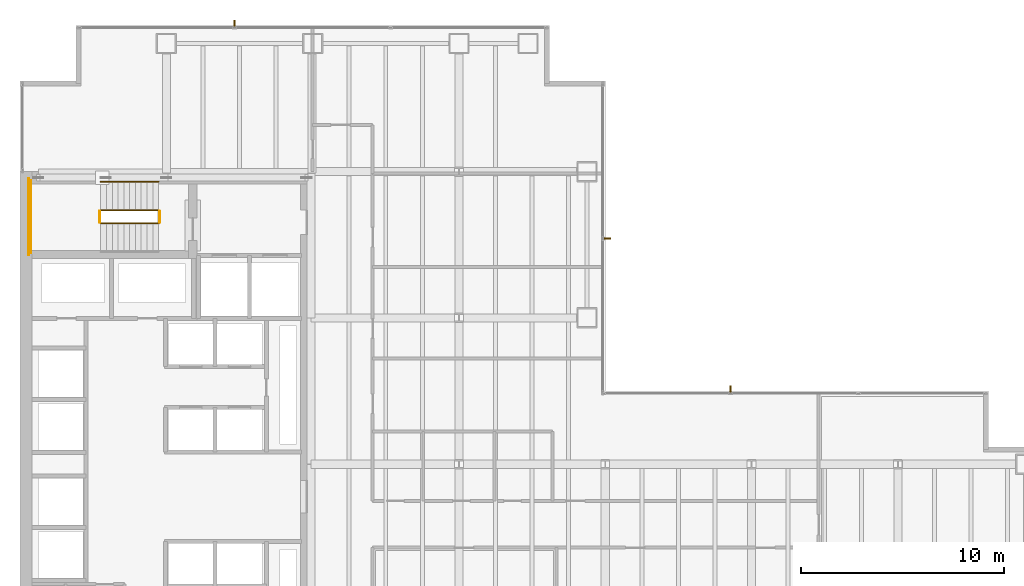
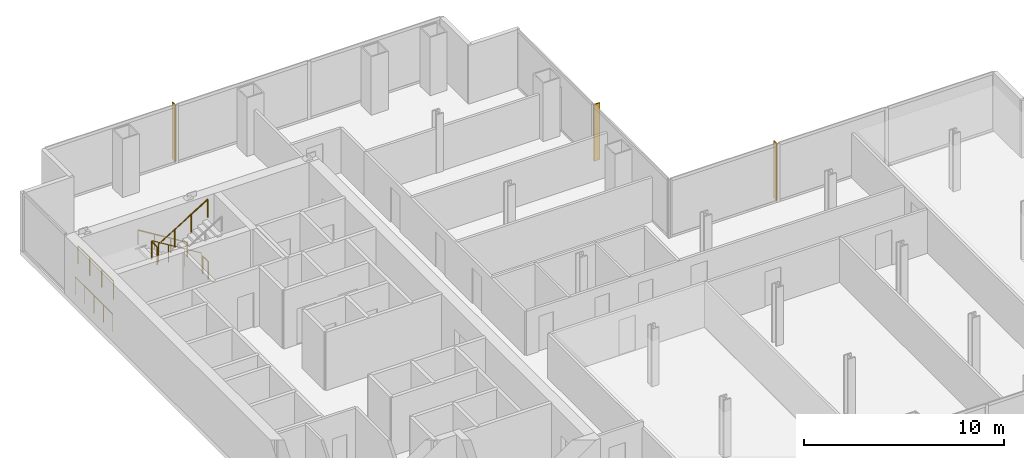
# One storey, part 24 of 24: 7 railings, 3 shading devices.
"""IFC4 building model written with IfcOpenShell, lengths in metres."""

from ifc_helpers import new_model, si_unit, direction, frame, origin, origin_2d, place, context, subcontext, project, spatial, polyline, circle, outline, extrude, material, layer, layer_set, type_object, element, save


model = new_model("IFC4")

# Units and contexts
model_context = context("Model", 3, precision=1e-05, world=origin(), true_north=direction((0.0, 1.0)))
body_context = subcontext(model_context, "Body", "Model", "MODEL_VIEW")
ifc_project = project(units=[si_unit("LENGTHUNIT", "METRE"), si_unit("AREAUNIT", "SQUARE_METRE"), si_unit("VOLUMEUNIT", "CUBIC_METRE"), si_unit("PLANEANGLEUNIT", "RADIAN"), si_unit("MASSUNIT", "GRAM", prefix="KILO")], contexts=[model_context])

# Site, building, storey
site_placement = place(None, origin())
site = spatial("IfcSite", under=ifc_project, at=site_placement, CompositionType="ELEMENT")
building_placement = place(site_placement, origin())
building = spatial("IfcBuilding", under=site, at=building_placement, Name="Cobrela Telecom Tower", CompositionType="ELEMENT")
storey_placement = place(building_placement, frame((0.0, 0.0, 69.64990234375)))
storey = spatial("IfcBuildingStorey", under=building, at=storey_placement, Name="L17", CompositionType="ELEMENT", Elevation=69.64990234375)

# Railings
ifc_material_1 = material(Name="Steel ASTM A36", Category="steel")
railing_type_1 = type_object("IfcRailingType", Name="RAIL-GUARD-1100", PredefinedType="GUARDRAIL", material=ifc_material_1)
railing_1_placement = place(storey_placement, frame((6.820068359375, 34.10009765625, 0.175048828125)))
element("IfcRailing", 1, at=railing_1_placement, inside=storey, type_object=railing_type_1, Name="L17 ST1 stair guard 1", PredefinedType="GUARDRAIL", context=body_context, shape_type="SweptSolid", body=[
    extrude(circle(Radius=0.02392578125, at=origin_2d()), frame((0.0, 0.0, 1.076171875), z_axis=(-0.852179220489, 0.0, 0.52325001306), x_axis=(0.0, -1.0, 0.0)), (0.0, 0.0, 1.0), 3.344482421875),
    extrude(circle(Radius=0.02099609375, at=origin_2d()), origin(), (0.0, 0.0, 1.0), 1.052001953125),
    extrude(circle(Radius=0.02099609375, at=origin_2d()), frame((-0.949951171875, 0.0, 0.583251953125)), (0.0, 0.0, 1.0), 1.052001953125),
    extrude(circle(Radius=0.02099609375, at=origin_2d()), frame((-1.900146484375, 0.0, 1.166748046875)), (0.0, 0.0, 1.0), 1.052001953125),
    extrude(circle(Radius=0.02099609375, at=origin_2d()), frame((-2.85009765625, 0.0, 1.75)), (0.0, 0.0, 1.0), 1.052001953125),
])
railing_2_placement = place(storey_placement, frame((3.919921875, 34.050048828125, 1.925048828125)))
element("IfcRailing", 2, at=railing_2_placement, inside=storey, type_object=railing_type_1, Name="L17 ST1 stair guard 2", PredefinedType="GUARDRAIL", context=body_context, shape_type="SweptSolid", body=[
    extrude(circle(Radius=0.02392578125, at=origin_2d()), frame((0.0, 0.0, 1.076171875), z_axis=(0.0, -1.0, 0.0), x_axis=(1.0, 0.0, 0.0)), (0.0, 0.0, 1.0), 0.550048828125),
    extrude(circle(Radius=0.02099609375, at=origin_2d()), origin(), (0.0, 0.0, 1.0), 1.052001953125),
    extrude(circle(Radius=0.02099609375, at=origin_2d()), frame((0.0, -0.550048828125, 0.0)), (0.0, 0.0, 1.0), 1.052001953125),
])
railing_3_placement = place(storey_placement, frame((0.530029296875, 35.550048828125, 1.925048828125)))
element("IfcRailing", 3, at=railing_3_placement, inside=storey, type_object=railing_type_1, Name="L17 ST1 stair guard 3", PredefinedType="GUARDRAIL", context=body_context, shape_type="SweptSolid", body=[
    extrude(circle(Radius=0.02392578125, at=origin_2d()), frame((0.0, 0.0, 1.076171875), z_axis=(0.0, -1.0, 0.0), x_axis=(1.0, 0.0, 0.0)), (0.0, 0.0, 1.0), 3.550048828125),
    extrude(circle(Radius=0.02099609375, at=origin_2d()), origin(), (0.0, 0.0, 1.0), 1.052001953125),
    extrude(circle(Radius=0.02099609375, at=origin_2d()), frame((0.0, -1.183349609375, 0.0)), (0.0, 0.0, 1.0), 1.052001953125),
    extrude(circle(Radius=0.02099609375, at=origin_2d()), frame((0.0, -2.36669921875, 0.0)), (0.0, 0.0, 1.0), 1.052001953125),
    extrude(circle(Radius=0.02099609375, at=origin_2d()), frame((0.0, -3.550048828125, 0.0)), (0.0, 0.0, 1.0), 1.052001953125),
])
railing_4_placement = place(storey_placement, frame((3.969970703125, 33.449951171875, 2.10009765625)))
element("IfcRailing", 4, at=railing_4_placement, inside=storey, type_object=railing_type_1, Name="L17 ST1 stair guard 4", PredefinedType="GUARDRAIL", context=body_context, shape_type="SweptSolid", body=[
    extrude(circle(Radius=0.02392578125, at=origin_2d()), frame((0.0, 0.0, 1.076171875), z_axis=(0.852179220489, 0.0, 0.52325001306), x_axis=(0.0, 1.0, 0.0)), (0.0, 0.0, 1.0), 3.344482421875),
    extrude(circle(Radius=0.02099609375, at=origin_2d()), origin(), (0.0, 0.0, 1.0), 1.052001953125),
    extrude(circle(Radius=0.02099609375, at=origin_2d()), frame((0.949951171875, 0.0, 0.583251953125)), (0.0, 0.0, 1.0), 1.052001953125),
    extrude(circle(Radius=0.02099609375, at=origin_2d()), frame((1.900146484375, 0.0, 1.166748046875)), (0.0, 0.0, 1.0), 1.052001953125),
    extrude(circle(Radius=0.02099609375, at=origin_2d()), frame((2.85009765625, 0.0, 1.75)), (0.0, 0.0, 1.0), 1.052001953125),
])
railing_5_placement = place(storey_placement, frame((6.8701171875, 34.050048828125, 0.0)))
element("IfcRailing", 5, at=railing_5_placement, inside=storey, type_object=railing_type_1, Name="L17 ST1 stair guard 5", PredefinedType="GUARDRAIL", context=body_context, shape_type="SweptSolid", body=[
    extrude(circle(Radius=0.02392578125, at=origin_2d()), frame((0.0, 0.0, 1.076171875), z_axis=(0.0, -1.0, 0.0), x_axis=(1.0, 0.0, 0.0)), (0.0, 0.0, 1.0), 0.550048828125),
    extrude(circle(Radius=0.02099609375, at=origin_2d()), origin(), (0.0, 0.0, 1.0), 1.052001953125),
    extrude(circle(Radius=0.02099609375, at=origin_2d()), frame((0.0, -0.550048828125, 0.0)), (0.0, 0.0, 1.0), 1.052001953125),
])
railing_6_placement = place(storey_placement, frame((0.429931640625, 35.64990234375, 0.0)))
element("IfcRailing", 6, at=railing_6_placement, inside=storey, type_object=railing_type_1, Name="L17 ST1 stair guard 6", PredefinedType="GUARDRAIL", context=body_context, shape_type="SweptSolid", body=[
    extrude(circle(Radius=0.02392578125, at=origin_2d()), frame((0.0, 0.0, 1.076171875), z_axis=(0.0, -1.0, 0.0), x_axis=(1.0, 0.0, 0.0)), (0.0, 0.0, 1.0), 3.75),
    extrude(circle(Radius=0.02099609375, at=origin_2d()), origin(), (0.0, 0.0, 1.0), 1.052001953125),
    extrude(circle(Radius=0.02099609375, at=origin_2d()), frame((0.0, -0.9375, 0.0)), (0.0, 0.0, 1.0), 1.052001953125),
    extrude(circle(Radius=0.02099609375, at=origin_2d()), frame((0.0, -1.875, 0.0)), (0.0, 0.0, 1.0), 1.052001953125),
    extrude(circle(Radius=0.02099609375, at=origin_2d()), frame((0.0, -2.8125, 0.0)), (0.0, 0.0, 1.0), 1.052001953125),
    extrude(circle(Radius=0.02099609375, at=origin_2d()), frame((0.0, -3.75, 0.0)), (0.0, 0.0, 1.0), 1.052001953125),
])
railing_type_2 = type_object("IfcRailingType", Name="RAIL-HAND-920", PredefinedType="HANDRAIL", material=ifc_material_1)
railing_7_placement = place(storey_placement, frame((6.820068359375, 35.5, 0.175048828125)))
element("IfcRailing", 7, at=railing_7_placement, inside=storey, type_object=railing_type_2, Name="L17 ST1 stair handrail 1", PredefinedType="HANDRAIL", context=body_context, shape_type="SweptSolid", body=[
    extrude(circle(Radius=0.02392578125, at=origin_2d()), frame((0.0, 0.0, 0.8759765625), z_axis=(-0.852179220489, 0.0, 0.52325001306), x_axis=(0.0, -1.0, 0.0)), (0.0, 0.0, 1.0), 3.344482421875),
    extrude(circle(Radius=0.02099609375, at=origin_2d()), origin(), (0.0, 0.0, 1.0), 0.851806640625),
    extrude(circle(Radius=0.02099609375, at=origin_2d()), frame((-0.949951171875, 0.0, 0.583251953125)), (0.0, 0.0, 1.0), 0.851806640625),
    extrude(circle(Radius=0.02099609375, at=origin_2d()), frame((-1.900146484375, 0.0, 1.166748046875)), (0.0, 0.0, 1.0), 0.851806640625),
    extrude(circle(Radius=0.02099609375, at=origin_2d()), frame((-2.85009765625, 0.0, 1.75)), (0.0, 0.0, 1.0), 0.851806640625),
])

# Shading devices
ifc_material_2 = material(Name="Anodized Bronze Aluminium 6063-T6", Category="aluminium")
ifc_layer = layer(ifc_material_2, 0.06005859375)
ifc_layer_set = layer_set([ifc_layer], Name="Anodized Bronze Aluminium 6063-T6")
shading_device_type = type_object("IfcShadingDeviceType", Name="SHD-FIN-BRZ", PredefinedType="USERDEFINED", material=ifc_layer_set)
shading_device_1_placement = place(storey_placement, frame((0.0, 0.0, 0.050048828125)))
element("IfcShadingDevice", 8, at=shading_device_1_placement, inside=storey, type_object=shading_device_type, Name="L17 Anodized Bronze Solar Fin 26", ObjectType="SUNSHADE", PredefinedType="USERDEFINED", context=body_context, shape_type="SweptSolid", body=[
    extrude(outline(polyline([(10.526611328125, 43.1201171875), (10.586669921875, 43.1201171875), (10.586669921875, 43.4599609375), (10.526611328125, 43.4599609375), (10.526611328125, 43.1201171875)])), origin(), (0.0, 0.0, 1.0), 3.469970703125),
])
shading_device_2_placement = place(storey_placement, frame((0.0, 0.0, 0.050048828125)))
element("IfcShadingDevice", 9, at=shading_device_2_placement, inside=storey, type_object=shading_device_type, Name="L17 Anodized Bronze Solar Fin 27", ObjectType="SUNSHADE", PredefinedType="USERDEFINED", context=body_context, shape_type="SweptSolid", body=[
    extrude(outline(polyline([(28.719970703125, 32.735107421875), (28.719970703125, 32.675048828125), (29.06005859375, 32.675048828125), (29.06005859375, 32.735107421875), (28.719970703125, 32.735107421875)])), origin(), (0.0, 0.0, 1.0), 3.469970703125),
])
shading_device_3_placement = place(storey_placement, frame((0.0, 0.0, 0.050048828125)))
element("IfcShadingDevice", 10, at=shading_device_3_placement, inside=storey, type_object=shading_device_type, Name="L17 Anodized Bronze Solar Fin 28", ObjectType="SUNSHADE", PredefinedType="USERDEFINED", context=body_context, shape_type="SweptSolid", body=[
    extrude(outline(polyline([(34.933349609375, 25.1201171875), (34.993408203125, 25.1201171875), (34.993408203125, 25.4599609375), (34.933349609375, 25.4599609375), (34.933349609375, 25.1201171875)])), origin(), (0.0, 0.0, 1.0), 3.469970703125),
])

save(model, "model.ifc")
